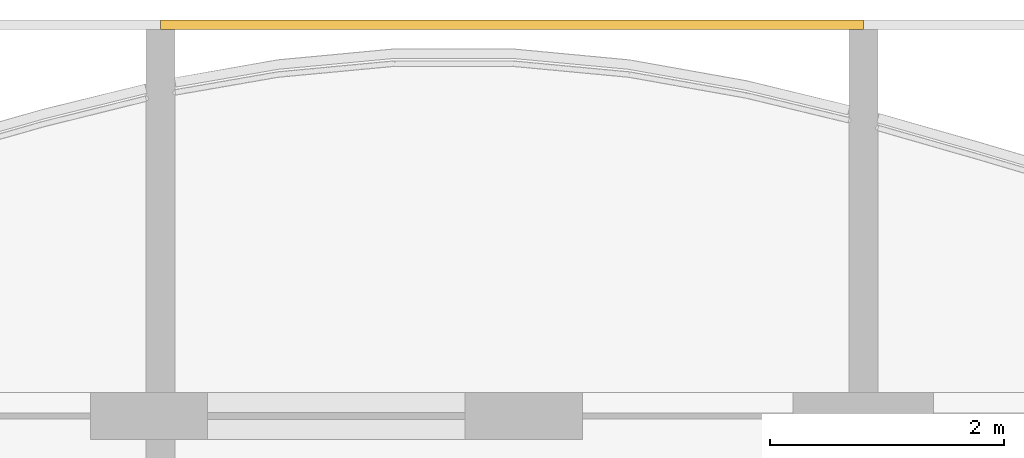
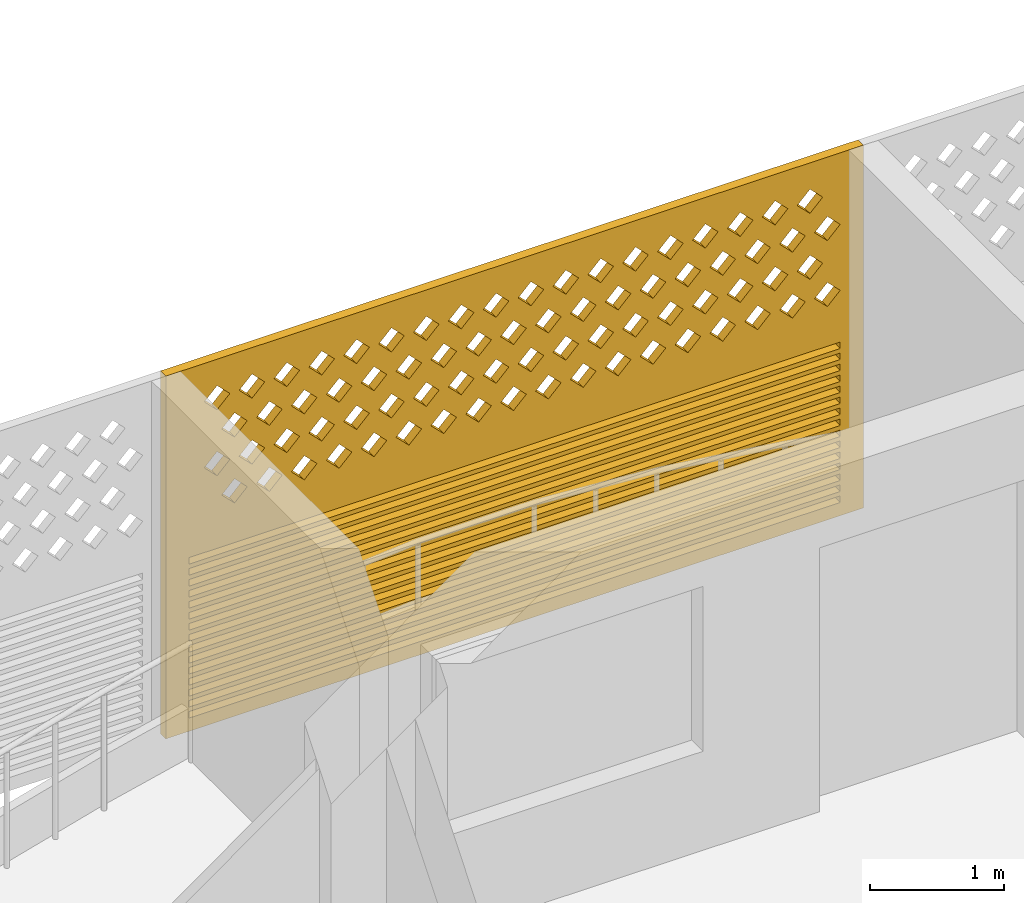
# One storey, part 19 of 27: 1 covering.
"""IFC4 building model written with IfcOpenShell, lengths in metres."""

from ifc_helpers import new_model, si_unit, direction, frame, origin, place, context, subcontext, project, spatial, polyline, outline, extrude, source, transform, mapped, material, material_profile, profile_set, type_object, element, save


model = new_model("IFC4")

# Units and contexts
model_context = context("Model", 3, precision=1e-05, world=origin(), true_north=direction((0.0, 1.0)))
body_context = subcontext(model_context, "Body", "Model", "MODEL_VIEW")
ifc_project = project(units=[si_unit("LENGTHUNIT", "METRE"), si_unit("AREAUNIT", "SQUARE_METRE"), si_unit("VOLUMEUNIT", "CUBIC_METRE"), si_unit("PLANEANGLEUNIT", "RADIAN"), si_unit("MASSUNIT", "GRAM", prefix="KILO")], contexts=[model_context])

# Site, building, storey
site_placement = place(None, origin())
site = spatial("IfcSite", under=ifc_project, at=site_placement, CompositionType="ELEMENT")
building_placement = place(site_placement, origin())
building = spatial("IfcBuilding", under=site, at=building_placement, Name="Poui Terraces", CompositionType="ELEMENT")
storey_placement = place(building_placement, frame((0.0, 0.0, 201.60009765625)))
storey = spatial("IfcBuildingStorey", under=building, at=storey_placement, Name="L56", CompositionType="ELEMENT", Elevation=201.60009765625)

# Covering
ifc_material = material(Name="Terracotta screen", Category="masonry")
ifc_material_profile = material_profile(ifc_material, outline(polyline([(-3.0, -1.64990234375), (3.0, -1.64990234375), (3.0, 1.64990234375), (-3.0, 1.64990234375), (-3.0, -1.64990234375)]), holes=[polyline([(-2.800048828125, 0.39990234375), (-2.68994140625, 0.2900390625), (-2.580078125, 0.39990234375), (-2.68994140625, 0.510009765625), (-2.800048828125, 0.39990234375)]), polyline([(-2.5, 0.39990234375), (-2.389892578125, 0.2900390625), (-2.280029296875, 0.39990234375), (-2.389892578125, 0.510009765625), (-2.5, 0.39990234375)]), polyline([(-2.199951171875, 0.39990234375), (-2.090087890625, 0.2900390625), (-1.97998046875, 0.39990234375), (-2.090087890625, 0.510009765625), (-2.199951171875, 0.39990234375)]), polyline([(-1.89990234375, 0.39990234375), (-1.7900390625, 0.2900390625), (-1.679931640625, 0.39990234375), (-1.7900390625, 0.510009765625), (-1.89990234375, 0.39990234375)]), polyline([(-1.60009765625, 0.39990234375), (-1.489990234375, 0.2900390625), (-1.3798828125, 0.39990234375), (-1.489990234375, 0.510009765625), (-1.60009765625, 0.39990234375)]), polyline([(-1.300048828125, 0.39990234375), (-1.18994140625, 0.2900390625), (-1.080078125, 0.39990234375), (-1.18994140625, 0.510009765625), (-1.300048828125, 0.39990234375)]), polyline([(-1.0, 0.39990234375), (-0.889892578125, 0.2900390625), (-0.780029296875, 0.39990234375), (-0.889892578125, 0.510009765625), (-1.0, 0.39990234375)]), polyline([(-0.699951171875, 0.39990234375), (-0.590087890625, 0.2900390625), (-0.47998046875, 0.39990234375), (-0.590087890625, 0.510009765625), (-0.699951171875, 0.39990234375)]), polyline([(-0.39990234375, 0.39990234375), (-0.2900390625, 0.2900390625), (-0.179931640625, 0.39990234375), (-0.2900390625, 0.510009765625), (-0.39990234375, 0.39990234375)]), polyline([(-0.10009765625, 0.39990234375), (0.010009765625, 0.2900390625), (0.1201171875, 0.39990234375), (0.010009765625, 0.510009765625), (-0.10009765625, 0.39990234375)]), polyline([(0.199951171875, 0.39990234375), (0.31005859375, 0.2900390625), (0.419921875, 0.39990234375), (0.31005859375, 0.510009765625), (0.199951171875, 0.39990234375)]), polyline([(0.5, 0.39990234375), (0.610107421875, 0.2900390625), (0.719970703125, 0.39990234375), (0.610107421875, 0.510009765625), (0.5, 0.39990234375)]), polyline([(0.800048828125, 0.39990234375), (0.909912109375, 0.2900390625), (1.02001953125, 0.39990234375), (0.909912109375, 0.510009765625), (0.800048828125, 0.39990234375)]), polyline([(1.10009765625, 0.39990234375), (1.2099609375, 0.2900390625), (1.320068359375, 0.39990234375), (1.2099609375, 0.510009765625), (1.10009765625, 0.39990234375)]), polyline([(1.39990234375, 0.39990234375), (1.510009765625, 0.2900390625), (1.6201171875, 0.39990234375), (1.510009765625, 0.510009765625), (1.39990234375, 0.39990234375)]), polyline([(1.699951171875, 0.39990234375), (1.81005859375, 0.2900390625), (1.919921875, 0.39990234375), (1.81005859375, 0.510009765625), (1.699951171875, 0.39990234375)]), polyline([(2.0, 0.39990234375), (2.110107421875, 0.2900390625), (2.219970703125, 0.39990234375), (2.110107421875, 0.510009765625), (2.0, 0.39990234375)]), polyline([(2.300048828125, 0.39990234375), (2.409912109375, 0.2900390625), (2.52001953125, 0.39990234375), (2.409912109375, 0.510009765625), (2.300048828125, 0.39990234375)]), polyline([(-2.64990234375, 0.699951171875), (-2.5400390625, 0.590087890625), (-2.429931640625, 0.699951171875), (-2.5400390625, 0.81005859375), (-2.64990234375, 0.699951171875)]), polyline([(-2.35009765625, 0.699951171875), (-2.239990234375, 0.590087890625), (-2.1298828125, 0.699951171875), (-2.239990234375, 0.81005859375), (-2.35009765625, 0.699951171875)]), polyline([(-2.050048828125, 0.699951171875), (-1.93994140625, 0.590087890625), (-1.830078125, 0.699951171875), (-1.93994140625, 0.81005859375), (-2.050048828125, 0.699951171875)]), polyline([(-1.75, 0.699951171875), (-1.639892578125, 0.590087890625), (-1.530029296875, 0.699951171875), (-1.639892578125, 0.81005859375), (-1.75, 0.699951171875)]), polyline([(-1.449951171875, 0.699951171875), (-1.340087890625, 0.590087890625), (-1.22998046875, 0.699951171875), (-1.340087890625, 0.81005859375), (-1.449951171875, 0.699951171875)]), polyline([(-1.14990234375, 0.699951171875), (-1.0400390625, 0.590087890625), (-0.929931640625, 0.699951171875), (-1.0400390625, 0.81005859375), (-1.14990234375, 0.699951171875)]), polyline([(-0.85009765625, 0.699951171875), (-0.739990234375, 0.590087890625), (-0.6298828125, 0.699951171875), (-0.739990234375, 0.81005859375), (-0.85009765625, 0.699951171875)]), polyline([(-0.550048828125, 0.699951171875), (-0.43994140625, 0.590087890625), (-0.330078125, 0.699951171875), (-0.43994140625, 0.81005859375), (-0.550048828125, 0.699951171875)]), polyline([(-0.25, 0.699951171875), (-0.139892578125, 0.590087890625), (-0.030029296875, 0.699951171875), (-0.139892578125, 0.81005859375), (-0.25, 0.699951171875)]), polyline([(0.050048828125, 0.699951171875), (0.159912109375, 0.590087890625), (0.27001953125, 0.699951171875), (0.159912109375, 0.81005859375), (0.050048828125, 0.699951171875)]), polyline([(0.35009765625, 0.699951171875), (0.4599609375, 0.590087890625), (0.570068359375, 0.699951171875), (0.4599609375, 0.81005859375), (0.35009765625, 0.699951171875)]), polyline([(0.64990234375, 0.699951171875), (0.760009765625, 0.590087890625), (0.8701171875, 0.699951171875), (0.760009765625, 0.81005859375), (0.64990234375, 0.699951171875)]), polyline([(0.949951171875, 0.699951171875), (1.06005859375, 0.590087890625), (1.169921875, 0.699951171875), (1.06005859375, 0.81005859375), (0.949951171875, 0.699951171875)]), polyline([(1.25, 0.699951171875), (1.360107421875, 0.590087890625), (1.469970703125, 0.699951171875), (1.360107421875, 0.81005859375), (1.25, 0.699951171875)]), polyline([(1.550048828125, 0.699951171875), (1.659912109375, 0.590087890625), (1.77001953125, 0.699951171875), (1.659912109375, 0.81005859375), (1.550048828125, 0.699951171875)]), polyline([(1.85009765625, 0.699951171875), (1.9599609375, 0.590087890625), (2.070068359375, 0.699951171875), (1.9599609375, 0.81005859375), (1.85009765625, 0.699951171875)]), polyline([(2.14990234375, 0.699951171875), (2.260009765625, 0.590087890625), (2.3701171875, 0.699951171875), (2.260009765625, 0.81005859375), (2.14990234375, 0.699951171875)]), polyline([(2.449951171875, 0.699951171875), (2.56005859375, 0.590087890625), (2.669921875, 0.699951171875), (2.56005859375, 0.81005859375), (2.449951171875, 0.699951171875)]), polyline([(-2.800048828125, 1.0), (-2.68994140625, 0.889892578125), (-2.580078125, 1.0), (-2.68994140625, 1.110107421875), (-2.800048828125, 1.0)]), polyline([(-2.5, 1.0), (-2.389892578125, 0.889892578125), (-2.280029296875, 1.0), (-2.389892578125, 1.110107421875), (-2.5, 1.0)]), polyline([(-2.199951171875, 1.0), (-2.090087890625, 0.889892578125), (-1.97998046875, 1.0), (-2.090087890625, 1.110107421875), (-2.199951171875, 1.0)]), polyline([(-1.89990234375, 1.0), (-1.7900390625, 0.889892578125), (-1.679931640625, 1.0), (-1.7900390625, 1.110107421875), (-1.89990234375, 1.0)]), polyline([(-1.60009765625, 1.0), (-1.489990234375, 0.889892578125), (-1.3798828125, 1.0), (-1.489990234375, 1.110107421875), (-1.60009765625, 1.0)]), polyline([(-1.300048828125, 1.0), (-1.18994140625, 0.889892578125), (-1.080078125, 1.0), (-1.18994140625, 1.110107421875), (-1.300048828125, 1.0)]), polyline([(-1.0, 1.0), (-0.889892578125, 0.889892578125), (-0.780029296875, 1.0), (-0.889892578125, 1.110107421875), (-1.0, 1.0)]), polyline([(-0.699951171875, 1.0), (-0.590087890625, 0.889892578125), (-0.47998046875, 1.0), (-0.590087890625, 1.110107421875), (-0.699951171875, 1.0)]), polyline([(-0.39990234375, 1.0), (-0.2900390625, 0.889892578125), (-0.179931640625, 1.0), (-0.2900390625, 1.110107421875), (-0.39990234375, 1.0)]), polyline([(-0.10009765625, 1.0), (0.010009765625, 0.889892578125), (0.1201171875, 1.0), (0.010009765625, 1.110107421875), (-0.10009765625, 1.0)]), polyline([(0.199951171875, 1.0), (0.31005859375, 0.889892578125), (0.419921875, 1.0), (0.31005859375, 1.110107421875), (0.199951171875, 1.0)]), polyline([(0.5, 1.0), (0.610107421875, 0.889892578125), (0.719970703125, 1.0), (0.610107421875, 1.110107421875), (0.5, 1.0)]), polyline([(0.800048828125, 1.0), (0.909912109375, 0.889892578125), (1.02001953125, 1.0), (0.909912109375, 1.110107421875), (0.800048828125, 1.0)]), polyline([(1.10009765625, 1.0), (1.2099609375, 0.889892578125), (1.320068359375, 1.0), (1.2099609375, 1.110107421875), (1.10009765625, 1.0)]), polyline([(1.39990234375, 1.0), (1.510009765625, 0.889892578125), (1.6201171875, 1.0), (1.510009765625, 1.110107421875), (1.39990234375, 1.0)]), polyline([(1.699951171875, 1.0), (1.81005859375, 0.889892578125), (1.919921875, 1.0), (1.81005859375, 1.110107421875), (1.699951171875, 1.0)]), polyline([(2.0, 1.0), (2.110107421875, 0.889892578125), (2.219970703125, 1.0), (2.110107421875, 1.110107421875), (2.0, 1.0)]), polyline([(2.300048828125, 1.0), (2.409912109375, 0.889892578125), (2.52001953125, 1.0), (2.409912109375, 1.110107421875), (2.300048828125, 1.0)]), polyline([(-2.64990234375, 1.300048828125), (-2.5400390625, 1.18994140625), (-2.429931640625, 1.300048828125), (-2.5400390625, 1.409912109375), (-2.64990234375, 1.300048828125)]), polyline([(-2.35009765625, 1.300048828125), (-2.239990234375, 1.18994140625), (-2.1298828125, 1.300048828125), (-2.239990234375, 1.409912109375), (-2.35009765625, 1.300048828125)]), polyline([(-2.050048828125, 1.300048828125), (-1.93994140625, 1.18994140625), (-1.830078125, 1.300048828125), (-1.93994140625, 1.409912109375), (-2.050048828125, 1.300048828125)]), polyline([(-1.75, 1.300048828125), (-1.639892578125, 1.18994140625), (-1.530029296875, 1.300048828125), (-1.639892578125, 1.409912109375), (-1.75, 1.300048828125)]), polyline([(-1.449951171875, 1.300048828125), (-1.340087890625, 1.18994140625), (-1.22998046875, 1.300048828125), (-1.340087890625, 1.409912109375), (-1.449951171875, 1.300048828125)]), polyline([(-1.14990234375, 1.300048828125), (-1.0400390625, 1.18994140625), (-0.929931640625, 1.300048828125), (-1.0400390625, 1.409912109375), (-1.14990234375, 1.300048828125)]), polyline([(-0.85009765625, 1.300048828125), (-0.739990234375, 1.18994140625), (-0.6298828125, 1.300048828125), (-0.739990234375, 1.409912109375), (-0.85009765625, 1.300048828125)]), polyline([(-0.550048828125, 1.300048828125), (-0.43994140625, 1.18994140625), (-0.330078125, 1.300048828125), (-0.43994140625, 1.409912109375), (-0.550048828125, 1.300048828125)]), polyline([(-0.25, 1.300048828125), (-0.139892578125, 1.18994140625), (-0.030029296875, 1.300048828125), (-0.139892578125, 1.409912109375), (-0.25, 1.300048828125)]), polyline([(0.050048828125, 1.300048828125), (0.159912109375, 1.18994140625), (0.27001953125, 1.300048828125), (0.159912109375, 1.409912109375), (0.050048828125, 1.300048828125)]), polyline([(0.35009765625, 1.300048828125), (0.4599609375, 1.18994140625), (0.570068359375, 1.300048828125), (0.4599609375, 1.409912109375), (0.35009765625, 1.300048828125)]), polyline([(0.64990234375, 1.300048828125), (0.760009765625, 1.18994140625), (0.8701171875, 1.300048828125), (0.760009765625, 1.409912109375), (0.64990234375, 1.300048828125)]), polyline([(0.949951171875, 1.300048828125), (1.06005859375, 1.18994140625), (1.169921875, 1.300048828125), (1.06005859375, 1.409912109375), (0.949951171875, 1.300048828125)]), polyline([(1.25, 1.300048828125), (1.360107421875, 1.18994140625), (1.469970703125, 1.300048828125), (1.360107421875, 1.409912109375), (1.25, 1.300048828125)]), polyline([(1.550048828125, 1.300048828125), (1.659912109375, 1.18994140625), (1.77001953125, 1.300048828125), (1.659912109375, 1.409912109375), (1.550048828125, 1.300048828125)]), polyline([(1.85009765625, 1.300048828125), (1.9599609375, 1.18994140625), (2.070068359375, 1.300048828125), (1.9599609375, 1.409912109375), (1.85009765625, 1.300048828125)]), polyline([(2.14990234375, 1.300048828125), (2.260009765625, 1.18994140625), (2.3701171875, 1.300048828125), (2.260009765625, 1.409912109375), (2.14990234375, 1.300048828125)]), polyline([(2.449951171875, 1.300048828125), (2.56005859375, 1.18994140625), (2.669921875, 1.300048828125), (2.56005859375, 1.409912109375), (2.449951171875, 1.300048828125)]), polyline([(-2.800048828125, -1.530029296875), (2.800048828125, -1.530029296875), (2.800048828125, -1.469970703125), (-2.800048828125, -1.469970703125), (-2.800048828125, -1.530029296875)]), polyline([(-2.800048828125, -1.429931640625), (2.800048828125, -1.429931640625), (2.800048828125, -1.3701171875), (-2.800048828125, -1.3701171875), (-2.800048828125, -1.429931640625)]), polyline([(-2.800048828125, -1.330078125), (2.800048828125, -1.330078125), (2.800048828125, -1.27001953125), (-2.800048828125, -1.27001953125), (-2.800048828125, -1.330078125)]), polyline([(-2.800048828125, -1.22998046875), (2.800048828125, -1.22998046875), (2.800048828125, -1.169921875), (-2.800048828125, -1.169921875), (-2.800048828125, -1.22998046875)]), polyline([(-2.800048828125, -1.1298828125), (2.800048828125, -1.1298828125), (2.800048828125, -1.070068359375), (-2.800048828125, -1.070068359375), (-2.800048828125, -1.1298828125)]), polyline([(-2.800048828125, -1.030029296875), (2.800048828125, -1.030029296875), (2.800048828125, -0.969970703125), (-2.800048828125, -0.969970703125), (-2.800048828125, -1.030029296875)]), polyline([(-2.800048828125, -0.929931640625), (2.800048828125, -0.929931640625), (2.800048828125, -0.8701171875), (-2.800048828125, -0.8701171875), (-2.800048828125, -0.929931640625)]), polyline([(-2.800048828125, -0.830078125), (2.800048828125, -0.830078125), (2.800048828125, -0.77001953125), (-2.800048828125, -0.77001953125), (-2.800048828125, -0.830078125)]), polyline([(-2.800048828125, -0.72998046875), (2.800048828125, -0.72998046875), (2.800048828125, -0.669921875), (-2.800048828125, -0.669921875), (-2.800048828125, -0.72998046875)]), polyline([(-2.800048828125, -0.6298828125), (2.800048828125, -0.6298828125), (2.800048828125, -0.570068359375), (-2.800048828125, -0.570068359375), (-2.800048828125, -0.6298828125)]), polyline([(-2.800048828125, -0.530029296875), (2.800048828125, -0.530029296875), (2.800048828125, -0.469970703125), (-2.800048828125, -0.469970703125), (-2.800048828125, -0.530029296875)]), polyline([(-2.800048828125, -0.429931640625), (2.800048828125, -0.429931640625), (2.800048828125, -0.3701171875), (-2.800048828125, -0.3701171875), (-2.800048828125, -0.429931640625)]), polyline([(-2.800048828125, -0.330078125), (2.800048828125, -0.330078125), (2.800048828125, -0.27001953125), (-2.800048828125, -0.27001953125), (-2.800048828125, -0.330078125)]), polyline([(-2.800048828125, -0.22998046875), (2.800048828125, -0.22998046875), (2.800048828125, -0.169921875), (-2.800048828125, -0.169921875), (-2.800048828125, -0.22998046875)]), polyline([(-2.800048828125, -0.1298828125), (2.800048828125, -0.1298828125), (2.800048828125, -0.070068359375), (-2.800048828125, -0.070068359375), (-2.800048828125, -0.1298828125)])]), Name="TERRACOTTA SCREEN AND JALOUSIE LOUVRE 6000X3300")
ifc_profile_set = profile_set([ifc_material_profile], Name="Terracotta screen")
covering_type = type_object("IfcCoveringType", Name="TERRACOTTA SCREEN AND JALOUSIE LOUVRE 6000X3300", PredefinedType="CLADDING", material=ifc_profile_set)
shared_shape = source(origin(), body_context, "Body", "SweptSolid", [
    extrude(outline(polyline([(-3.0, -1.64990234375), (3.0, -1.64990234375), (3.0, 1.64990234375), (-3.0, 1.64990234375), (-3.0, -1.64990234375)]), holes=[polyline([(-2.800048828125, 0.39990234375), (-2.68994140625, 0.2900390625), (-2.580078125, 0.39990234375), (-2.68994140625, 0.510009765625), (-2.800048828125, 0.39990234375)]), polyline([(-2.5, 0.39990234375), (-2.389892578125, 0.2900390625), (-2.280029296875, 0.39990234375), (-2.389892578125, 0.510009765625), (-2.5, 0.39990234375)]), polyline([(-2.199951171875, 0.39990234375), (-2.090087890625, 0.2900390625), (-1.97998046875, 0.39990234375), (-2.090087890625, 0.510009765625), (-2.199951171875, 0.39990234375)]), polyline([(-1.89990234375, 0.39990234375), (-1.7900390625, 0.2900390625), (-1.679931640625, 0.39990234375), (-1.7900390625, 0.510009765625), (-1.89990234375, 0.39990234375)]), polyline([(-1.60009765625, 0.39990234375), (-1.489990234375, 0.2900390625), (-1.3798828125, 0.39990234375), (-1.489990234375, 0.510009765625), (-1.60009765625, 0.39990234375)]), polyline([(-1.300048828125, 0.39990234375), (-1.18994140625, 0.2900390625), (-1.080078125, 0.39990234375), (-1.18994140625, 0.510009765625), (-1.300048828125, 0.39990234375)]), polyline([(-1.0, 0.39990234375), (-0.889892578125, 0.2900390625), (-0.780029296875, 0.39990234375), (-0.889892578125, 0.510009765625), (-1.0, 0.39990234375)]), polyline([(-0.699951171875, 0.39990234375), (-0.590087890625, 0.2900390625), (-0.47998046875, 0.39990234375), (-0.590087890625, 0.510009765625), (-0.699951171875, 0.39990234375)]), polyline([(-0.39990234375, 0.39990234375), (-0.2900390625, 0.2900390625), (-0.179931640625, 0.39990234375), (-0.2900390625, 0.510009765625), (-0.39990234375, 0.39990234375)]), polyline([(-0.10009765625, 0.39990234375), (0.010009765625, 0.2900390625), (0.1201171875, 0.39990234375), (0.010009765625, 0.510009765625), (-0.10009765625, 0.39990234375)]), polyline([(0.199951171875, 0.39990234375), (0.31005859375, 0.2900390625), (0.419921875, 0.39990234375), (0.31005859375, 0.510009765625), (0.199951171875, 0.39990234375)]), polyline([(0.5, 0.39990234375), (0.610107421875, 0.2900390625), (0.719970703125, 0.39990234375), (0.610107421875, 0.510009765625), (0.5, 0.39990234375)]), polyline([(0.800048828125, 0.39990234375), (0.909912109375, 0.2900390625), (1.02001953125, 0.39990234375), (0.909912109375, 0.510009765625), (0.800048828125, 0.39990234375)]), polyline([(1.10009765625, 0.39990234375), (1.2099609375, 0.2900390625), (1.320068359375, 0.39990234375), (1.2099609375, 0.510009765625), (1.10009765625, 0.39990234375)]), polyline([(1.39990234375, 0.39990234375), (1.510009765625, 0.2900390625), (1.6201171875, 0.39990234375), (1.510009765625, 0.510009765625), (1.39990234375, 0.39990234375)]), polyline([(1.699951171875, 0.39990234375), (1.81005859375, 0.2900390625), (1.919921875, 0.39990234375), (1.81005859375, 0.510009765625), (1.699951171875, 0.39990234375)]), polyline([(2.0, 0.39990234375), (2.110107421875, 0.2900390625), (2.219970703125, 0.39990234375), (2.110107421875, 0.510009765625), (2.0, 0.39990234375)]), polyline([(2.300048828125, 0.39990234375), (2.409912109375, 0.2900390625), (2.52001953125, 0.39990234375), (2.409912109375, 0.510009765625), (2.300048828125, 0.39990234375)]), polyline([(-2.64990234375, 0.699951171875), (-2.5400390625, 0.590087890625), (-2.429931640625, 0.699951171875), (-2.5400390625, 0.81005859375), (-2.64990234375, 0.699951171875)]), polyline([(-2.35009765625, 0.699951171875), (-2.239990234375, 0.590087890625), (-2.1298828125, 0.699951171875), (-2.239990234375, 0.81005859375), (-2.35009765625, 0.699951171875)]), polyline([(-2.050048828125, 0.699951171875), (-1.93994140625, 0.590087890625), (-1.830078125, 0.699951171875), (-1.93994140625, 0.81005859375), (-2.050048828125, 0.699951171875)]), polyline([(-1.75, 0.699951171875), (-1.639892578125, 0.590087890625), (-1.530029296875, 0.699951171875), (-1.639892578125, 0.81005859375), (-1.75, 0.699951171875)]), polyline([(-1.449951171875, 0.699951171875), (-1.340087890625, 0.590087890625), (-1.22998046875, 0.699951171875), (-1.340087890625, 0.81005859375), (-1.449951171875, 0.699951171875)]), polyline([(-1.14990234375, 0.699951171875), (-1.0400390625, 0.590087890625), (-0.929931640625, 0.699951171875), (-1.0400390625, 0.81005859375), (-1.14990234375, 0.699951171875)]), polyline([(-0.85009765625, 0.699951171875), (-0.739990234375, 0.590087890625), (-0.6298828125, 0.699951171875), (-0.739990234375, 0.81005859375), (-0.85009765625, 0.699951171875)]), polyline([(-0.550048828125, 0.699951171875), (-0.43994140625, 0.590087890625), (-0.330078125, 0.699951171875), (-0.43994140625, 0.81005859375), (-0.550048828125, 0.699951171875)]), polyline([(-0.25, 0.699951171875), (-0.139892578125, 0.590087890625), (-0.030029296875, 0.699951171875), (-0.139892578125, 0.81005859375), (-0.25, 0.699951171875)]), polyline([(0.050048828125, 0.699951171875), (0.159912109375, 0.590087890625), (0.27001953125, 0.699951171875), (0.159912109375, 0.81005859375), (0.050048828125, 0.699951171875)]), polyline([(0.35009765625, 0.699951171875), (0.4599609375, 0.590087890625), (0.570068359375, 0.699951171875), (0.4599609375, 0.81005859375), (0.35009765625, 0.699951171875)]), polyline([(0.64990234375, 0.699951171875), (0.760009765625, 0.590087890625), (0.8701171875, 0.699951171875), (0.760009765625, 0.81005859375), (0.64990234375, 0.699951171875)]), polyline([(0.949951171875, 0.699951171875), (1.06005859375, 0.590087890625), (1.169921875, 0.699951171875), (1.06005859375, 0.81005859375), (0.949951171875, 0.699951171875)]), polyline([(1.25, 0.699951171875), (1.360107421875, 0.590087890625), (1.469970703125, 0.699951171875), (1.360107421875, 0.81005859375), (1.25, 0.699951171875)]), polyline([(1.550048828125, 0.699951171875), (1.659912109375, 0.590087890625), (1.77001953125, 0.699951171875), (1.659912109375, 0.81005859375), (1.550048828125, 0.699951171875)]), polyline([(1.85009765625, 0.699951171875), (1.9599609375, 0.590087890625), (2.070068359375, 0.699951171875), (1.9599609375, 0.81005859375), (1.85009765625, 0.699951171875)]), polyline([(2.14990234375, 0.699951171875), (2.260009765625, 0.590087890625), (2.3701171875, 0.699951171875), (2.260009765625, 0.81005859375), (2.14990234375, 0.699951171875)]), polyline([(2.449951171875, 0.699951171875), (2.56005859375, 0.590087890625), (2.669921875, 0.699951171875), (2.56005859375, 0.81005859375), (2.449951171875, 0.699951171875)]), polyline([(-2.800048828125, 1.0), (-2.68994140625, 0.889892578125), (-2.580078125, 1.0), (-2.68994140625, 1.110107421875), (-2.800048828125, 1.0)]), polyline([(-2.5, 1.0), (-2.389892578125, 0.889892578125), (-2.280029296875, 1.0), (-2.389892578125, 1.110107421875), (-2.5, 1.0)]), polyline([(-2.199951171875, 1.0), (-2.090087890625, 0.889892578125), (-1.97998046875, 1.0), (-2.090087890625, 1.110107421875), (-2.199951171875, 1.0)]), polyline([(-1.89990234375, 1.0), (-1.7900390625, 0.889892578125), (-1.679931640625, 1.0), (-1.7900390625, 1.110107421875), (-1.89990234375, 1.0)]), polyline([(-1.60009765625, 1.0), (-1.489990234375, 0.889892578125), (-1.3798828125, 1.0), (-1.489990234375, 1.110107421875), (-1.60009765625, 1.0)]), polyline([(-1.300048828125, 1.0), (-1.18994140625, 0.889892578125), (-1.080078125, 1.0), (-1.18994140625, 1.110107421875), (-1.300048828125, 1.0)]), polyline([(-1.0, 1.0), (-0.889892578125, 0.889892578125), (-0.780029296875, 1.0), (-0.889892578125, 1.110107421875), (-1.0, 1.0)]), polyline([(-0.699951171875, 1.0), (-0.590087890625, 0.889892578125), (-0.47998046875, 1.0), (-0.590087890625, 1.110107421875), (-0.699951171875, 1.0)]), polyline([(-0.39990234375, 1.0), (-0.2900390625, 0.889892578125), (-0.179931640625, 1.0), (-0.2900390625, 1.110107421875), (-0.39990234375, 1.0)]), polyline([(-0.10009765625, 1.0), (0.010009765625, 0.889892578125), (0.1201171875, 1.0), (0.010009765625, 1.110107421875), (-0.10009765625, 1.0)]), polyline([(0.199951171875, 1.0), (0.31005859375, 0.889892578125), (0.419921875, 1.0), (0.31005859375, 1.110107421875), (0.199951171875, 1.0)]), polyline([(0.5, 1.0), (0.610107421875, 0.889892578125), (0.719970703125, 1.0), (0.610107421875, 1.110107421875), (0.5, 1.0)]), polyline([(0.800048828125, 1.0), (0.909912109375, 0.889892578125), (1.02001953125, 1.0), (0.909912109375, 1.110107421875), (0.800048828125, 1.0)]), polyline([(1.10009765625, 1.0), (1.2099609375, 0.889892578125), (1.320068359375, 1.0), (1.2099609375, 1.110107421875), (1.10009765625, 1.0)]), polyline([(1.39990234375, 1.0), (1.510009765625, 0.889892578125), (1.6201171875, 1.0), (1.510009765625, 1.110107421875), (1.39990234375, 1.0)]), polyline([(1.699951171875, 1.0), (1.81005859375, 0.889892578125), (1.919921875, 1.0), (1.81005859375, 1.110107421875), (1.699951171875, 1.0)]), polyline([(2.0, 1.0), (2.110107421875, 0.889892578125), (2.219970703125, 1.0), (2.110107421875, 1.110107421875), (2.0, 1.0)]), polyline([(2.300048828125, 1.0), (2.409912109375, 0.889892578125), (2.52001953125, 1.0), (2.409912109375, 1.110107421875), (2.300048828125, 1.0)]), polyline([(-2.64990234375, 1.300048828125), (-2.5400390625, 1.18994140625), (-2.429931640625, 1.300048828125), (-2.5400390625, 1.409912109375), (-2.64990234375, 1.300048828125)]), polyline([(-2.35009765625, 1.300048828125), (-2.239990234375, 1.18994140625), (-2.1298828125, 1.300048828125), (-2.239990234375, 1.409912109375), (-2.35009765625, 1.300048828125)]), polyline([(-2.050048828125, 1.300048828125), (-1.93994140625, 1.18994140625), (-1.830078125, 1.300048828125), (-1.93994140625, 1.409912109375), (-2.050048828125, 1.300048828125)]), polyline([(-1.75, 1.300048828125), (-1.639892578125, 1.18994140625), (-1.530029296875, 1.300048828125), (-1.639892578125, 1.409912109375), (-1.75, 1.300048828125)]), polyline([(-1.449951171875, 1.300048828125), (-1.340087890625, 1.18994140625), (-1.22998046875, 1.300048828125), (-1.340087890625, 1.409912109375), (-1.449951171875, 1.300048828125)]), polyline([(-1.14990234375, 1.300048828125), (-1.0400390625, 1.18994140625), (-0.929931640625, 1.300048828125), (-1.0400390625, 1.409912109375), (-1.14990234375, 1.300048828125)]), polyline([(-0.85009765625, 1.300048828125), (-0.739990234375, 1.18994140625), (-0.6298828125, 1.300048828125), (-0.739990234375, 1.409912109375), (-0.85009765625, 1.300048828125)]), polyline([(-0.550048828125, 1.300048828125), (-0.43994140625, 1.18994140625), (-0.330078125, 1.300048828125), (-0.43994140625, 1.409912109375), (-0.550048828125, 1.300048828125)]), polyline([(-0.25, 1.300048828125), (-0.139892578125, 1.18994140625), (-0.030029296875, 1.300048828125), (-0.139892578125, 1.409912109375), (-0.25, 1.300048828125)]), polyline([(0.050048828125, 1.300048828125), (0.159912109375, 1.18994140625), (0.27001953125, 1.300048828125), (0.159912109375, 1.409912109375), (0.050048828125, 1.300048828125)]), polyline([(0.35009765625, 1.300048828125), (0.4599609375, 1.18994140625), (0.570068359375, 1.300048828125), (0.4599609375, 1.409912109375), (0.35009765625, 1.300048828125)]), polyline([(0.64990234375, 1.300048828125), (0.760009765625, 1.18994140625), (0.8701171875, 1.300048828125), (0.760009765625, 1.409912109375), (0.64990234375, 1.300048828125)]), polyline([(0.949951171875, 1.300048828125), (1.06005859375, 1.18994140625), (1.169921875, 1.300048828125), (1.06005859375, 1.409912109375), (0.949951171875, 1.300048828125)]), polyline([(1.25, 1.300048828125), (1.360107421875, 1.18994140625), (1.469970703125, 1.300048828125), (1.360107421875, 1.409912109375), (1.25, 1.300048828125)]), polyline([(1.550048828125, 1.300048828125), (1.659912109375, 1.18994140625), (1.77001953125, 1.300048828125), (1.659912109375, 1.409912109375), (1.550048828125, 1.300048828125)]), polyline([(1.85009765625, 1.300048828125), (1.9599609375, 1.18994140625), (2.070068359375, 1.300048828125), (1.9599609375, 1.409912109375), (1.85009765625, 1.300048828125)]), polyline([(2.14990234375, 1.300048828125), (2.260009765625, 1.18994140625), (2.3701171875, 1.300048828125), (2.260009765625, 1.409912109375), (2.14990234375, 1.300048828125)]), polyline([(2.449951171875, 1.300048828125), (2.56005859375, 1.18994140625), (2.669921875, 1.300048828125), (2.56005859375, 1.409912109375), (2.449951171875, 1.300048828125)]), polyline([(-2.800048828125, -1.530029296875), (2.800048828125, -1.530029296875), (2.800048828125, -1.469970703125), (-2.800048828125, -1.469970703125), (-2.800048828125, -1.530029296875)]), polyline([(-2.800048828125, -1.429931640625), (2.800048828125, -1.429931640625), (2.800048828125, -1.3701171875), (-2.800048828125, -1.3701171875), (-2.800048828125, -1.429931640625)]), polyline([(-2.800048828125, -1.330078125), (2.800048828125, -1.330078125), (2.800048828125, -1.27001953125), (-2.800048828125, -1.27001953125), (-2.800048828125, -1.330078125)]), polyline([(-2.800048828125, -1.22998046875), (2.800048828125, -1.22998046875), (2.800048828125, -1.169921875), (-2.800048828125, -1.169921875), (-2.800048828125, -1.22998046875)]), polyline([(-2.800048828125, -1.1298828125), (2.800048828125, -1.1298828125), (2.800048828125, -1.070068359375), (-2.800048828125, -1.070068359375), (-2.800048828125, -1.1298828125)]), polyline([(-2.800048828125, -1.030029296875), (2.800048828125, -1.030029296875), (2.800048828125, -0.969970703125), (-2.800048828125, -0.969970703125), (-2.800048828125, -1.030029296875)]), polyline([(-2.800048828125, -0.929931640625), (2.800048828125, -0.929931640625), (2.800048828125, -0.8701171875), (-2.800048828125, -0.8701171875), (-2.800048828125, -0.929931640625)]), polyline([(-2.800048828125, -0.830078125), (2.800048828125, -0.830078125), (2.800048828125, -0.77001953125), (-2.800048828125, -0.77001953125), (-2.800048828125, -0.830078125)]), polyline([(-2.800048828125, -0.72998046875), (2.800048828125, -0.72998046875), (2.800048828125, -0.669921875), (-2.800048828125, -0.669921875), (-2.800048828125, -0.72998046875)]), polyline([(-2.800048828125, -0.6298828125), (2.800048828125, -0.6298828125), (2.800048828125, -0.570068359375), (-2.800048828125, -0.570068359375), (-2.800048828125, -0.6298828125)]), polyline([(-2.800048828125, -0.530029296875), (2.800048828125, -0.530029296875), (2.800048828125, -0.469970703125), (-2.800048828125, -0.469970703125), (-2.800048828125, -0.530029296875)]), polyline([(-2.800048828125, -0.429931640625), (2.800048828125, -0.429931640625), (2.800048828125, -0.3701171875), (-2.800048828125, -0.3701171875), (-2.800048828125, -0.429931640625)]), polyline([(-2.800048828125, -0.330078125), (2.800048828125, -0.330078125), (2.800048828125, -0.27001953125), (-2.800048828125, -0.27001953125), (-2.800048828125, -0.330078125)]), polyline([(-2.800048828125, -0.22998046875), (2.800048828125, -0.22998046875), (2.800048828125, -0.169921875), (-2.800048828125, -0.169921875), (-2.800048828125, -0.22998046875)]), polyline([(-2.800048828125, -0.1298828125), (2.800048828125, -0.1298828125), (2.800048828125, -0.070068359375), (-2.800048828125, -0.070068359375), (-2.800048828125, -0.1298828125)])]), origin(), (0.0, 0.0, 1.0), 0.080078125),
])
covering_placement = place(storey_placement, frame((33.0, 44.5, 1.449951171875), z_axis=(0.0, 1.0, 0.0), x_axis=(-1.0, 0.0, 0.0)))
element("IfcCovering", 1, at=covering_placement, inside=storey, type_object=covering_type, Name="SOLAR SCREEN AND JALOUSIE LOUVRE", PredefinedType="CLADDING", context=body_context, shape_type="MappedRepresentation", body=[
    mapped(shared_shape, transform((0.0, 0.0, 0.0))),
])

save(model, "model.ifc")
